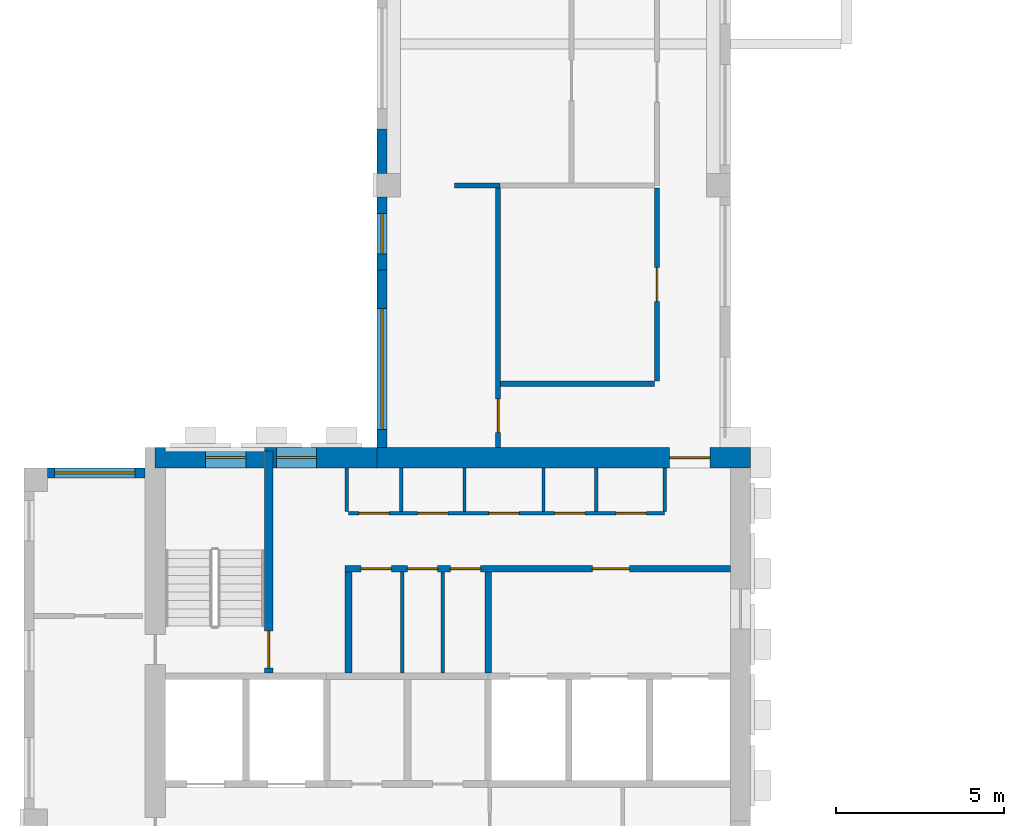
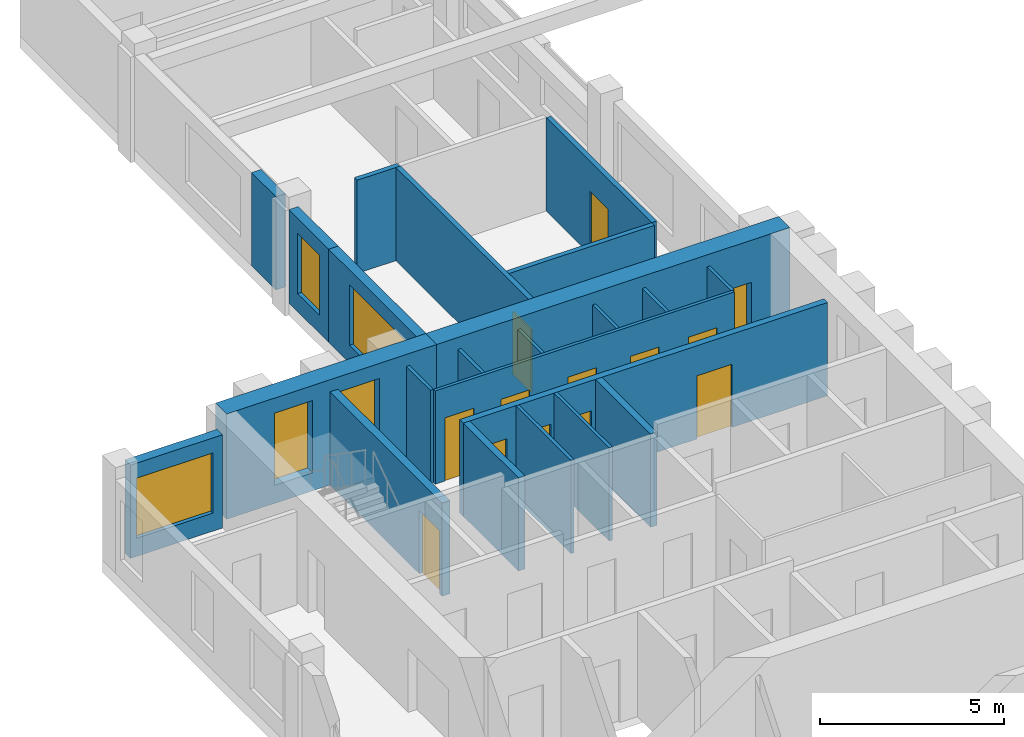
# One storey, part 3 of 9: 23 walls, 13 doors, 5 windows, 18 openings.
"""IFC4 building model written with IfcOpenShell, lengths in metres."""

import ifcopenshell
import ifcopenshell.guid

model = None  # the IFC model being written
_history = None  # IfcOwnerHistory: only IFC2X3 demands one
_inside = {}  # id of a spatial element -> (the spatial element, [elements in it])
_under = {}  # id of a project, library or spatial element -> (it, [spatial elements below it])
_declared = {}  # id of a project -> (the project, [libraries it declares])
_typed = {}  # id of a type object -> (the type object, [elements of that type])
_made_of = {}  # id of a material, layer set ... -> (it, [elements and type objects made of it])


def new_model(schema):
    """Start an empty IFC model of exactly this schema.

    Asked for "IFC4X3", IfcOpenShell would pick the latest addendum, in which some entities
    have other attributes; the version numbers below select the first issue.
    IFC2X3 requires an IfcOwnerHistory on every rooted entity: one is made here for all.
    """
    global model, _history
    if schema == "IFC4X3":
        model = ifcopenshell.file(schema_version=(4, 3, 0, 0))
    else:
        model = ifcopenshell.file(schema=schema)
    _inside.clear()
    _under.clear()
    _declared.clear()
    _typed.clear()
    _made_of.clear()
    _history = None
    if model.schema == "IFC2X3":
        org = make("IfcOrganization", Name="unknown")
        user = make(
            "IfcPersonAndOrganization",
            ThePerson=make("IfcPerson", FamilyName="unknown"),
            TheOrganization=org,
        )
        app = make(
            "IfcApplication",
            ApplicationDeveloper=org,
            Version="unknown",
            ApplicationFullName="unknown",
            ApplicationIdentifier="unknown",
        )
        _history = make(
            "IfcOwnerHistory",
            OwningUser=user,
            OwningApplication=app,
            ChangeAction="ADDED",
            CreationDate=0,
        )
    return model


def make(cls, **values):
    """One entity of the class cls with the attributes given. An attribute that is None is left unset."""
    return model.create_entity(
        cls, **{name: value for name, value in values.items() if value is not None}
    )


def rooted(cls, **values):
    """An entity with a GlobalId (a new one), such as an element, a storey or a relation."""
    return make(cls, GlobalId=ifcopenshell.guid.new(), OwnerHistory=_history, **values)


def si_unit(unit_type, name, prefix=None):
    """IfcSIUnit, for example si_unit("LENGTHUNIT", "METRE", prefix="MILLI")."""
    return make("IfcSIUnit", UnitType=unit_type, Prefix=prefix, Name=name)


def assignment(units):
    """IfcUnitAssignment: the units of a project."""
    return None if units is None else make("IfcUnitAssignment", Units=units)


def point(xyz):
    """IfcCartesianPoint."""
    return None if xyz is None else make("IfcCartesianPoint", Coordinates=xyz)


def direction(xyz):
    """IfcDirection."""
    return None if xyz is None else make("IfcDirection", DirectionRatios=xyz)


def frame(location, z_axis=None, x_axis=None):
    """IfcAxis2Placement3D, a coordinate frame: its origin and axes. An axis left out is left unset."""
    return make(
        "IfcAxis2Placement3D",
        Location=point(location),
        Axis=direction(z_axis),
        RefDirection=direction(x_axis),
    )


def frame_2d(location, x_axis=None):
    """IfcAxis2Placement2D, a coordinate frame in the plane: its origin and x axis."""
    return make(
        "IfcAxis2Placement2D", Location=point(location), RefDirection=direction(x_axis)
    )


def origin():
    """The frame at (0, 0, 0) with its axes left unset."""
    return frame((0.0, 0.0, 0.0))


def place(relative_to, where):
    """IfcLocalPlacement: puts the frame where relative to a parent placement (None: the world)."""
    return make(
        "IfcLocalPlacement", PlacementRelTo=relative_to, RelativePlacement=where
    )


def context(
    kind, dimensions, precision=None, world=None, true_north=None, identifier=None
):
    """IfcGeometricRepresentationContext, for example the 3D "Model" context."""
    return make(
        "IfcGeometricRepresentationContext",
        ContextIdentifier=identifier,
        ContextType=kind,
        CoordinateSpaceDimension=dimensions,
        Precision=precision,
        WorldCoordinateSystem=world,
        TrueNorth=true_north,
    )


def subcontext(parent, identifier, kind, view, scale=None):
    """IfcGeometricRepresentationSubContext, for example "Body" below "Model"."""
    return make(
        "IfcGeometricRepresentationSubContext",
        ContextIdentifier=identifier,
        ContextType=kind,
        ParentContext=parent,
        TargetScale=scale,
        TargetView=view,
    )


def project(units=None, contexts=None):
    """IfcProject with its units and contexts."""
    return rooted(
        "IfcProject",
        Name="project",
        RepresentationContexts=contexts,
        UnitsInContext=assignment(units),
    )


def spatial(cls, under=None, at=None, **own):
    """A site, building, storey or space (cls), placed at a placement, below another one or the project."""
    s = rooted(cls, ObjectPlacement=at, **own)
    if under is not None:
        _under.setdefault(under.id(), (under, []))[1].append(s)
    return s


def profile(cls, at=None, kind="AREA", **sizes):
    """A parametric profile (cls). Its sizes go by their IFC names, for example OverallWidth=200.0."""
    return make(cls, ProfileType=kind, Position=at, **sizes)


def rectangle(**sizes):
    """IfcRectangleProfileDef."""
    return profile("IfcRectangleProfileDef", **sizes)


def extrude(swept, where, along, depth):
    """IfcExtrudedAreaSolid: the profile swept, set in the frame where, extruded along a direction by depth."""
    return make(
        "IfcExtrudedAreaSolid",
        SweptArea=swept,
        Position=where,
        ExtrudedDirection=direction(along),
        Depth=depth,
    )


def shape(context_of_items, identifier, shape_type, items):
    """IfcShapeRepresentation: the items that make up one representation, for example the "Body"."""
    return make(
        "IfcShapeRepresentation",
        ContextOfItems=context_of_items,
        RepresentationIdentifier=identifier,
        RepresentationType=shape_type,
        Items=items,
    )


def source(mapping_origin, context_of_items, identifier, shape_type, items):
    """IfcRepresentationMap: a shape defined once, which mapped items show again and again."""
    return make(
        "IfcRepresentationMap",
        MappingOrigin=mapping_origin,
        MappedRepresentation=shape(context_of_items, identifier, shape_type, items),
    )


def transform(
    local_origin,
    x_axis=None,
    y_axis=None,
    z_axis=None,
    scale=None,
    scale2=None,
    scale3=None,
    uniform=True,
):
    """IfcCartesianTransformationOperator3D, or its non-uniform kind. x_axis, y_axis, z_axis: its Axis1, 2, 3."""
    if uniform:
        return make(
            "IfcCartesianTransformationOperator3D",
            Axis1=direction(x_axis),
            Axis2=direction(y_axis),
            LocalOrigin=point(local_origin),
            Scale=scale,
            Axis3=direction(z_axis),
        )
    return make(
        "IfcCartesianTransformationOperator3DnonUniform",
        Axis1=direction(x_axis),
        Axis2=direction(y_axis),
        LocalOrigin=point(local_origin),
        Scale=scale,
        Axis3=direction(z_axis),
        Scale2=scale2,
        Scale3=scale3,
    )


def mapped(mapping_source, mapping_target):
    """IfcMappedItem: shows the shape of a source again, moved by a transform."""
    return make(
        "IfcMappedItem", MappingSource=mapping_source, MappingTarget=mapping_target
    )


def material(Name=None, Category=None):
    """IfcMaterial."""
    return make("IfcMaterial", Name=Name, Category=Category)


def layer(
    of_material, thickness, ventilated=None, Name=None, Category=None, Priority=None
):
    """IfcMaterialLayer: one layer of a wall or slab, of a material (None: an air gap)."""
    return make(
        "IfcMaterialLayer",
        Material=of_material,
        LayerThickness=thickness,
        IsVentilated=ventilated,
        Name=Name,
        Category=Category,
        Priority=Priority,
    )


def layer_set(layers, Name=None):
    """IfcMaterialLayerSet."""
    return make("IfcMaterialLayerSet", MaterialLayers=layers, LayerSetName=Name)


def made_of(thing, what):
    """Note that an element or type object is made of a material, layer set ...; save() writes the relation."""
    if what is not None:
        _made_of.setdefault(what.id(), (what, []))[1].append(thing)
    return thing


def type_object(cls, material=None, **own):
    """A type object (cls), such as IfcWallType, which elements share."""
    return made_of(rooted(cls, **own), material)


def element(
    cls,
    number,
    at=None,
    inside=None,
    cuts=None,
    type_object=None,
    material=None,
    context=None,
    identifier="Body",
    shape_type=None,
    held_by="IfcProductDefinitionShape",
    body=None,
    shapes=None,
    **own,
):
    """One element of the class cls, such as IfcWall. Its Tag is "e" and its number.

    at: its placement. inside: the storey or other place that contains it. cuts: it is an
    opening in that element (IfcRelVoidsElement). A single representation is given by context,
    identifier, shape_type and body (its items); several are given by shapes. held_by: the class
    of the entity that holds the representations. save() writes the other relations.
    """
    e = rooted(cls, Tag="e%d" % number, ObjectPlacement=at, **own)
    if body is not None:
        shapes = [shape(context, identifier, shape_type, body)]
    if shapes is not None:
        e.Representation = make(held_by, Representations=shapes)
    if inside is not None:
        _inside.setdefault(inside.id(), (inside, []))[1].append(e)
    if cuts is not None:
        rooted(
            "IfcRelVoidsElement", RelatingBuildingElement=cuts, RelatedOpeningElement=e
        )
    if type_object is not None:
        _typed.setdefault(type_object.id(), (type_object, []))[1].append(e)
    return made_of(e, material)


def fill(opening, filler):
    """IfcRelFillsElement: the door or window that sits in an opening."""
    return rooted(
        "IfcRelFillsElement",
        RelatingOpeningElement=opening,
        RelatedBuildingElement=filler,
    )


def aggregate(whole, parts):
    """IfcRelAggregates: a whole, such as a stair, and the parts it consists of."""
    return rooted("IfcRelAggregates", RelatingObject=whole, RelatedObjects=parts)


def save(model, path):
    """Write the relations noted so far, then the file.

    IfcRelAggregates (storeys below a building ...), IfcRelContainedInSpatialStructure (elements
    in a storey), IfcRelDefinesByType, IfcRelAssociatesMaterial and IfcRelDeclares: one each for
    every whole, place, type object, material and project.
    """
    for whole, parts in _under.values():
        aggregate(whole, parts)
    for where, things in _inside.values():
        rooted(
            "IfcRelContainedInSpatialStructure",
            RelatedElements=things,
            RelatingStructure=where,
        )
    for kind, things in _typed.values():
        rooted("IfcRelDefinesByType", RelatedObjects=things, RelatingType=kind)
    for what, things in _made_of.values():
        rooted("IfcRelAssociatesMaterial", RelatedObjects=things, RelatingMaterial=what)
    for by, libraries in _declared.values():
        rooted("IfcRelDeclares", RelatingContext=by, RelatedDefinitions=libraries)
    model.write(path)


model = new_model("IFC4")

# Units and contexts
model_context = context("Model", 3, precision=1e-05, world=origin(), true_north=direction((0.0, 1.0)))
body_context = subcontext(model_context, "Body", "Model", "MODEL_VIEW")
ifc_project = project(units=[si_unit("LENGTHUNIT", "METRE"), si_unit("AREAUNIT", "SQUARE_METRE"), si_unit("VOLUMEUNIT", "CUBIC_METRE"), si_unit("PLANEANGLEUNIT", "RADIAN"), si_unit("MASSUNIT", "GRAM", prefix="KILO")], contexts=[model_context])

# Site, building, storey
site_placement = place(None, origin())
site = spatial("IfcSite", under=ifc_project, at=site_placement, CompositionType="ELEMENT")
building_placement = place(site_placement, origin())
building = spatial("IfcBuilding", under=site, at=building_placement, Name="Aurelian Terraces", CompositionType="ELEMENT")
storey_placement = place(building_placement, frame((0.0, 0.0, 295.0)))
storey = spatial("IfcBuildingStorey", under=building, at=storey_placement, Name="L67", CompositionType="ELEMENT", Elevation=295.0)

# Wall, opening, door
ifc_material_1 = material(Name="Concrete fc' 55 MPa", Category="concrete")
ifc_layer_1 = layer(ifc_material_1, 0.6)
ifc_layer_set_1 = layer_set([ifc_layer_1], Name="CORE WALL 600 FC55")
wall_type_1 = type_object("IfcWallType", Name="CORE WALL 600 FC55", PredefinedType="SHEAR", material=ifc_layer_set_1)
shared_shape_1 = source(origin(), body_context, "Body", "SweptSolid", [
    extrude(rectangle(XDim=11.1, YDim=0.6, at=frame_2d((5.55, 0.0))), origin(), (0.0, 0.0, 1.0), 3.5),
])
wall_1_placement = place(storey_placement, frame((10.5, 21.3, 0.0), z_axis=(0.0, 0.0, 1.0), x_axis=(1.0, 0.0, 0.0)))
wall_1 = element("IfcWall", 1, at=wall_1_placement, inside=storey, type_object=wall_type_1, Name="Core wall N L67", PredefinedType="SHEAR", context=body_context, shape_type="MappedRepresentation", body=[
    mapped(shared_shape_1, transform((0.0, 0.0, 0.0), scale=1.0)),
])
shared_shape_2 = source(origin(), body_context, "Body", "SweptSolid", [
    extrude(rectangle(XDim=1.2, YDim=2.1, at=frame_2d((0.6, 1.05))), frame((0.0, 0.31, 0.0), z_axis=(0.0, -1.0, 0.0), x_axis=(1.0, 0.0, 0.0)), (0.0, 0.0, 1.0), 0.62),
])
opening_1_placement = place(wall_1_placement, frame((8.7, 0.0, 0.0)))
opening_1 = element("IfcOpeningElement", 2, at=opening_1_placement, cuts=wall_1, Name="Opening 67032", PredefinedType="OPENING", context=body_context, shape_type="MappedRepresentation", body=[
    mapped(shared_shape_2, transform((0.0, 0.0, 0.0), scale=1.0)),
])
ifc_material_2 = material(Name="Steel door leaf", Category="steel")
door_type_1 = type_object("IfcDoorType", Name="Core fire door 1200x2100 right", OperationType="SINGLE_SWING_RIGHT", PredefinedType="DOOR", material=ifc_material_2)
shared_shape_3 = source(origin(), body_context, "Body", "SweptSolid", [
    extrude(rectangle(XDim=1.2, YDim=2.1, at=frame_2d((0.6, 1.05))), frame((0.0, 0.025, 0.0), z_axis=(0.0, -1.0, 0.0), x_axis=(1.0, 0.0, 0.0)), (0.0, 0.0, 1.0), 0.05),
])
door_1_placement = place(opening_1_placement, origin())
door_1 = element("IfcDoor", 3, at=door_1_placement, inside=storey, type_object=door_type_1, Name="Core door 67032", OperationType="SINGLE_SWING_RIGHT", OverallHeight=2.1, OverallWidth=1.2, PredefinedType="DOOR", context=body_context, shape_type="MappedRepresentation", body=[
    mapped(shared_shape_3, transform((0.0, 0.0, 0.0), scale=1.0)),
])
fill(opening_1, door_1)

# Wall, openings, windows
shared_shape_4 = source(origin(), body_context, "Body", "SweptSolid", [
    extrude(rectangle(XDim=6.6, YDim=0.6, at=frame_2d((3.3, 0.0))), origin(), (0.0, 0.0, 1.0), 3.5),
])
wall_2_placement = place(storey_placement, frame((3.9, 21.3, 0.0), z_axis=(0.0, 0.0, 1.0), x_axis=(1.0, 0.0, 0.0)))
wall_2 = element("IfcWall", 4, at=wall_2_placement, inside=storey, type_object=wall_type_1, Name="Core wall N L67 exposed", PredefinedType="SHEAR", context=body_context, shape_type="MappedRepresentation", body=[
    mapped(shared_shape_4, transform((0.0, 0.0, 0.0), scale=1.0)),
])
shared_shape_5 = source(origin(), body_context, "Body", "SweptSolid", [
    extrude(rectangle(XDim=1.2, YDim=2.4, at=frame_2d((0.6, 1.2))), frame((0.0, 0.31, 0.0), z_axis=(0.0, -1.0, 0.0), x_axis=(1.0, 0.0, 0.0)), (0.0, 0.0, 1.0), 0.62),
])
opening_2_placement = place(wall_2_placement, frame((1.5, 0.0, 0.6)))
opening_2 = element("IfcOpeningElement", 5, at=opening_2_placement, cuts=wall_2, Name="Opening W-CL", PredefinedType="OPENING", context=body_context, shape_type="MappedRepresentation", body=[
    mapped(shared_shape_5, transform((0.0, 0.0, 0.0), scale=1.0)),
])
opening_3_placement = place(wall_2_placement, frame((3.6, 0.0, 0.6)))
opening_3 = element("IfcOpeningElement", 6, at=opening_3_placement, cuts=wall_2, Name="Opening W-CL", PredefinedType="OPENING", context=body_context, shape_type="MappedRepresentation", body=[
    mapped(shared_shape_5, transform((0.0, 0.0, 0.0), scale=1.0)),
])
ifc_material_3 = material(Name="Fire-resisting glazing", Category="glass")
window_type_1 = type_object("IfcWindowType", Name="Core lobby window 1200x2400", PartitioningType="SINGLE_PANEL", PredefinedType="WINDOW", material=ifc_material_3)
shared_shape_6 = source(origin(), body_context, "Body", "SweptSolid", [
    extrude(rectangle(XDim=1.2, YDim=2.4, at=frame_2d((0.6, 1.2))), frame((0.0, 0.03, 0.0), z_axis=(0.0, -1.0, 0.0), x_axis=(1.0, 0.0, 0.0)), (0.0, 0.0, 1.0), 0.06),
])
window_1_placement = place(opening_2_placement, origin())
window_1 = element("IfcWindow", 7, at=window_1_placement, inside=storey, type_object=window_type_1, Name="Lobby window L67 N11", OverallHeight=2.4, OverallWidth=1.2, PartitioningType="SINGLE_PANEL", PredefinedType="WINDOW", context=body_context, shape_type="MappedRepresentation", body=[
    mapped(shared_shape_6, transform((0.0, 0.0, 0.0), scale=1.0)),
])
fill(opening_2, window_1)
window_2_placement = place(opening_3_placement, origin())
window_2 = element("IfcWindow", 8, at=window_2_placement, inside=storey, type_object=window_type_1, Name="Lobby window L67 N12", OverallHeight=2.4, OverallWidth=1.2, PartitioningType="SINGLE_PANEL", PredefinedType="WINDOW", context=body_context, shape_type="MappedRepresentation", body=[
    mapped(shared_shape_6, transform((0.0, 0.0, 0.0), scale=1.0)),
])
fill(opening_3, window_2)

# Wall, opening, window
ifc_material_4 = material(Name="Terracotta rainscreen cladding", Category="masonry")
ifc_layer_2 = layer(ifc_material_4, 0.3)
ifc_layer_set_2 = layer_set([ifc_layer_2], Name="EW-300")
wall_type_2 = type_object("IfcWallType", Name="EW-300", PredefinedType="STANDARD", material=ifc_layer_set_2)
shared_shape_7 = source(origin(), body_context, "Body", "SweptSolid", [
    extrude(rectangle(XDim=2.9, YDim=0.3, at=frame_2d((1.45, 0.0))), origin(), (0.0, 0.0, 1.0), 3.1),
])
wall_3_placement = place(storey_placement, frame((3.6, 20.85, 0.0), z_axis=(0.0, 0.0, 1.0), x_axis=(-1.0, 0.0, 0.0)))
wall_3 = element("IfcWall", 9, at=wall_3_placement, inside=storey, type_object=wall_type_2, Name="External wall L67 F09.17", PredefinedType="STANDARD", context=body_context, shape_type="MappedRepresentation", body=[
    mapped(shared_shape_7, transform((0.0, 0.0, 0.0), scale=1.0)),
])
shared_shape_8 = source(origin(), body_context, "Body", "SweptSolid", [
    extrude(rectangle(XDim=2.4, YDim=2.0, at=frame_2d((1.2, 1.0))), frame((0.0, 0.16, 0.0), z_axis=(0.0, -1.0, 0.0), x_axis=(1.0, 0.0, 0.0)), (0.0, 0.0, 1.0), 0.32),
])
opening_4_placement = place(wall_3_placement, frame((0.3, 0.0, 0.6)))
opening_4 = element("IfcOpeningElement", 10, at=opening_4_placement, cuts=wall_3, Name="Opening W2420", PredefinedType="OPENING", context=body_context, shape_type="MappedRepresentation", body=[
    mapped(shared_shape_8, transform((0.0, 0.0, 0.0), scale=1.0)),
])
ifc_material_5 = material(Name="Clear glazing", Category="glass")
window_type_2 = type_object("IfcWindowType", Name="W-2400x2000", PartitioningType="SINGLE_PANEL", PredefinedType="WINDOW", material=ifc_material_5)
shared_shape_9 = source(origin(), body_context, "Body", "SweptSolid", [
    extrude(rectangle(XDim=2.4, YDim=2.0, at=frame_2d((1.2, 1.0))), frame((0.0, 0.03, 0.0), z_axis=(0.0, -1.0, 0.0), x_axis=(1.0, 0.0, 0.0)), (0.0, 0.0, 1.0), 0.06),
])
window_3_placement = place(opening_4_placement, origin())
window_3 = element("IfcWindow", 11, at=window_3_placement, inside=storey, type_object=window_type_2, Name="Window L67 L67-F09-17-0", OverallHeight=2.0, OverallWidth=2.4, PartitioningType="SINGLE_PANEL", PredefinedType="WINDOW", context=body_context, shape_type="MappedRepresentation", body=[
    mapped(shared_shape_9, transform((0.0, 0.0, 0.0), scale=1.0)),
])
fill(opening_4, window_3)

# Wall
shared_shape_10 = source(origin(), body_context, "Body", "SweptSolid", [
    extrude(rectangle(XDim=1.33, YDim=0.3, at=frame_2d((0.665, 0.0))), origin(), (0.0, 0.0, 1.0), 3.1),
])
wall_4_placement = place(storey_placement, frame((10.65, 31.08, 0.0), z_axis=(0.0, 0.0, 1.0), x_axis=(0.0, -1.0, 0.0)))
element("IfcWall", 12, at=wall_4_placement, inside=storey, type_object=wall_type_2, Name="External wall L67 F04.11", PredefinedType="STANDARD", context=body_context, shape_type="MappedRepresentation", body=[
    mapped(shared_shape_10, transform((0.0, 0.0, 0.0), scale=1.0)),
])

# Wall, opening, window
shared_shape_11 = source(origin(), body_context, "Body", "SweptSolid", [
    extrude(rectangle(XDim=2.17, YDim=0.3, at=frame_2d((1.085, 0.0))), origin(), (0.0, 0.0, 1.0), 3.1),
])
wall_5_placement = place(storey_placement, frame((10.65, 29.05, 0.0), z_axis=(0.0, 0.0, 1.0), x_axis=(0.0, -1.0, 0.0)))
wall_5 = element("IfcWall", 13, at=wall_5_placement, inside=storey, type_object=wall_type_2, Name="External wall L67 F04.11", PredefinedType="STANDARD", context=body_context, shape_type="MappedRepresentation", body=[
    mapped(shared_shape_11, transform((0.0, 0.0, 0.0), scale=1.0)),
])
shared_shape_12 = source(origin(), body_context, "Body", "SweptSolid", [
    extrude(rectangle(XDim=1.2, YDim=2.0, at=frame_2d((0.6, 1.0))), frame((0.0, 0.16, 0.0), z_axis=(0.0, -1.0, 0.0), x_axis=(1.0, 0.0, 0.0)), (0.0, 0.0, 1.0), 0.32),
])
opening_5_placement = place(wall_5_placement, frame((0.485, 0.0, 0.6)))
opening_5 = element("IfcOpeningElement", 14, at=opening_5_placement, cuts=wall_5, Name="Opening W1220", PredefinedType="OPENING", context=body_context, shape_type="MappedRepresentation", body=[
    mapped(shared_shape_12, transform((0.0, 0.0, 0.0), scale=1.0)),
])
window_type_3 = type_object("IfcWindowType", Name="W-1200x2000", PartitioningType="SINGLE_PANEL", PredefinedType="WINDOW", material=ifc_material_5)
shared_shape_13 = source(origin(), body_context, "Body", "SweptSolid", [
    extrude(rectangle(XDim=1.2, YDim=2.0, at=frame_2d((0.6, 1.0))), frame((0.0, 0.03, 0.0), z_axis=(0.0, -1.0, 0.0), x_axis=(1.0, 0.0, 0.0)), (0.0, 0.0, 1.0), 0.06),
])
window_4_placement = place(opening_5_placement, origin())
window_4 = element("IfcWindow", 15, at=window_4_placement, inside=storey, type_object=window_type_3, Name="Window L67 L67-F04-11-P1", OverallHeight=2.0, OverallWidth=1.2, PartitioningType="SINGLE_PANEL", PredefinedType="WINDOW", context=body_context, shape_type="MappedRepresentation", body=[
    mapped(shared_shape_13, transform((0.0, 0.0, 0.0), scale=1.0)),
])
fill(opening_5, window_4)

shared_shape_14 = source(origin(), body_context, "Body", "SweptSolid", [
    extrude(rectangle(XDim=5.28, YDim=0.3, at=frame_2d((2.64, 0.0))), origin(), (0.0, 0.0, 1.0), 3.1),
])
wall_6_placement = place(storey_placement, frame((10.65, 26.88, 0.0), z_axis=(0.0, 0.0, 1.0), x_axis=(0.0, -1.0, 0.0)))
wall_6 = element("IfcWall", 16, at=wall_6_placement, inside=storey, type_object=wall_type_2, Name="External wall L67 F04.12", PredefinedType="STANDARD", context=body_context, shape_type="MappedRepresentation", body=[
    mapped(shared_shape_14, transform((0.0, 0.0, 0.0), scale=1.0)),
])
shared_shape_15 = source(origin(), body_context, "Body", "SweptSolid", [
    extrude(rectangle(XDim=3.6, YDim=2.0, at=frame_2d((1.8, 1.0))), frame((0.0, 0.16, 0.0), z_axis=(0.0, -1.0, 0.0), x_axis=(1.0, 0.0, 0.0)), (0.0, 0.0, 1.0), 0.32),
])
opening_6_placement = place(wall_6_placement, frame((1.14, 0.0, 0.6)))
opening_6 = element("IfcOpeningElement", 17, at=opening_6_placement, cuts=wall_6, Name="Opening W3620", PredefinedType="OPENING", context=body_context, shape_type="MappedRepresentation", body=[
    mapped(shared_shape_15, transform((0.0, 0.0, 0.0), scale=1.0)),
])
window_type_4 = type_object("IfcWindowType", Name="W-3600x2000", PartitioningType="SINGLE_PANEL", PredefinedType="WINDOW", material=ifc_material_5)
shared_shape_16 = source(origin(), body_context, "Body", "SweptSolid", [
    extrude(rectangle(XDim=3.6, YDim=2.0, at=frame_2d((1.8, 1.0))), frame((0.0, 0.03, 0.0), z_axis=(0.0, -1.0, 0.0), x_axis=(1.0, 0.0, 0.0)), (0.0, 0.0, 1.0), 0.06),
])
window_5_placement = place(opening_6_placement, origin())
window_5 = element("IfcWindow", 18, at=window_5_placement, inside=storey, type_object=window_type_4, Name="Window L67 L67-F04-12-0", OverallHeight=2.0, OverallWidth=3.6, PartitioningType="SINGLE_PANEL", PredefinedType="WINDOW", context=body_context, shape_type="MappedRepresentation", body=[
    mapped(shared_shape_16, transform((0.0, 0.0, 0.0), scale=1.0)),
])
fill(opening_6, window_5)

# Walls
ifc_material_6 = material(Name="Gypsum board on steel studs", Category="steel")
ifc_layer_3 = layer(ifc_material_6, 0.2)
ifc_layer_set_3 = layer_set([ifc_layer_3], Name="Core partition 200")
wall_type_3 = type_object("IfcWallType", Name="Core partition 200", PredefinedType="PARTITIONING", material=ifc_layer_set_3)
shared_shape_17 = source(origin(), body_context, "Body", "SweptSolid", [
    extrude(rectangle(XDim=3.0, YDim=0.2, at=frame_2d((1.5, 0.0))), origin(), (0.0, 0.0, 1.0), 3.1),
])
for number, where, z_axis, x_axis, name in (
    (19, (9.65, 14.9, 0.0), (0.0, 0.0, 1.0), (0.0, 1.0, 0.0), "L67 core wall CP-VEST"),
    (20, (13.8, 14.9, 0.0), (0.0, 0.0, 1.0), (0.0, 1.0, 0.0), "L67 core wall CP-FFL"),
):
    element("IfcWall", number, at=place(storey_placement, frame(where, z_axis=z_axis, x_axis=x_axis)), inside=storey, type_object=wall_type_3, Name=name, PredefinedType="PARTITIONING", context=body_context, shape_type="MappedRepresentation", body=[
        mapped(shared_shape_17, transform((0.0, 0.0, 0.0), scale=1.0)),
    ])

# Wall, opening, door
ifc_material_7 = material(Name="Concrete fc' 40 MPa", Category="concrete")
ifc_layer_4 = layer(ifc_material_7, 0.25)
ifc_layer_set_4 = layer_set([ifc_layer_4], Name="Stair enclosure wall 250")
wall_type_4 = type_object("IfcWallType", Name="Stair enclosure wall 250", PredefinedType="SOLIDWALL", material=ifc_layer_set_4)
shared_shape_18 = source(origin(), body_context, "Body", "SweptSolid", [
    extrude(rectangle(XDim=6.6, YDim=0.25, at=frame_2d((3.3, 0.0))), origin(), (0.0, 0.0, 1.0), 3.1),
])
wall_7_placement = place(storey_placement, frame((7.275, 14.9, 0.0), z_axis=(0.0, 0.0, 1.0), x_axis=(0.0, 1.0, 0.0)))
wall_7 = element("IfcWall", 21, at=wall_7_placement, inside=storey, type_object=wall_type_4, Name="L67 core wall ST-S1-E", PredefinedType="SOLIDWALL", context=body_context, shape_type="MappedRepresentation", body=[
    mapped(shared_shape_18, transform((0.0, 0.0, 0.0), scale=1.0)),
])
shared_shape_19 = source(origin(), body_context, "Body", "SweptSolid", [
    extrude(rectangle(XDim=1.1, YDim=2.1, at=frame_2d((0.55, 1.05))), frame((0.0, 0.135, 0.0), z_axis=(0.0, -1.0, 0.0), x_axis=(1.0, 0.0, 0.0)), (0.0, 0.0, 1.0), 0.27),
])
opening_7_placement = place(wall_7_placement, frame((0.15, 0.0, 0.0)))
opening_7 = element("IfcOpeningElement", 22, at=opening_7_placement, cuts=wall_7, Name="Opening 67013", PredefinedType="OPENING", context=body_context, shape_type="MappedRepresentation", body=[
    mapped(shared_shape_19, transform((0.0, 0.0, 0.0), scale=1.0)),
])
door_type_2 = type_object("IfcDoorType", Name="Core fire door 1100x2100 right", OperationType="SINGLE_SWING_RIGHT", PredefinedType="DOOR", material=ifc_material_2)
shared_shape_20 = source(origin(), body_context, "Body", "SweptSolid", [
    extrude(rectangle(XDim=1.1, YDim=2.1, at=frame_2d((0.55, 1.05))), frame((0.0, 0.025, 0.0), z_axis=(0.0, -1.0, 0.0), x_axis=(1.0, 0.0, 0.0)), (0.0, 0.0, 1.0), 0.05),
])
door_2_placement = place(opening_7_placement, origin())
door_2 = element("IfcDoor", 23, at=door_2_placement, inside=storey, type_object=door_type_2, Name="Stair door 67013", OperationType="SINGLE_SWING_RIGHT", OverallHeight=2.1, OverallWidth=1.1, PredefinedType="DOOR", context=body_context, shape_type="MappedRepresentation", body=[
    mapped(shared_shape_20, transform((0.0, 0.0, 0.0), scale=1.0)),
])
fill(opening_7, door_2)

# Wall, openings, doors
shared_shape_21 = source(origin(), body_context, "Body", "SweptSolid", [
    extrude(rectangle(XDim=11.45, YDim=0.2, at=frame_2d((5.725, 0.0))), origin(), (0.0, 0.0, 1.0), 3.1),
])
wall_8_placement = place(storey_placement, frame((9.55, 18.0, 0.0), z_axis=(0.0, 0.0, 1.0), x_axis=(1.0, 0.0, 0.0)))
wall_8 = element("IfcWall", 24, at=wall_8_placement, inside=storey, type_object=wall_type_3, Name="L67 core wall CP-NORTH", PredefinedType="PARTITIONING", context=body_context, shape_type="MappedRepresentation", body=[
    mapped(shared_shape_21, transform((0.0, 0.0, 0.0), scale=1.0)),
])
shared_shape_22 = source(origin(), body_context, "Body", "SweptSolid", [
    extrude(rectangle(XDim=0.9, YDim=2.1, at=frame_2d((0.45, 1.05))), frame((0.0, 0.11, 0.0), z_axis=(0.0, -1.0, 0.0), x_axis=(1.0, 0.0, 0.0)), (0.0, 0.0, 1.0), 0.22),
])
opening_8_placement = place(wall_8_placement, frame((0.475, 0.0, 0.0)))
opening_8 = element("IfcOpeningElement", 25, at=opening_8_placement, cuts=wall_8, Name="Opening 67014", PredefinedType="OPENING", context=body_context, shape_type="MappedRepresentation", body=[
    mapped(shared_shape_22, transform((0.0, 0.0, 0.0), scale=1.0)),
])
opening_9_placement = place(wall_8_placement, frame((1.85, 0.0, 0.0)))
opening_9 = element("IfcOpeningElement", 26, at=opening_9_placement, cuts=wall_8, Name="Opening 67015", PredefinedType="OPENING", context=body_context, shape_type="MappedRepresentation", body=[
    mapped(shared_shape_22, transform((0.0, 0.0, 0.0), scale=1.0)),
])
opening_10_placement = place(wall_8_placement, frame((3.125, 0.0, 0.0)))
opening_10 = element("IfcOpeningElement", 27, at=opening_10_placement, cuts=wall_8, Name="Opening 67016", PredefinedType="OPENING", context=body_context, shape_type="MappedRepresentation", body=[
    mapped(shared_shape_22, transform((0.0, 0.0, 0.0), scale=1.0)),
])
shared_shape_23 = source(origin(), body_context, "Body", "SweptSolid", [
    extrude(rectangle(XDim=1.1, YDim=2.1, at=frame_2d((0.55, 1.05))), frame((0.0, 0.11, 0.0), z_axis=(0.0, -1.0, 0.0), x_axis=(1.0, 0.0, 0.0)), (0.0, 0.0, 1.0), 0.22),
])
opening_11_placement = place(wall_8_placement, frame((7.35, 0.0, 0.0)))
opening_11 = element("IfcOpeningElement", 28, at=opening_11_placement, cuts=wall_8, Name="Opening 67017", PredefinedType="OPENING", context=body_context, shape_type="MappedRepresentation", body=[
    mapped(shared_shape_23, transform((0.0, 0.0, 0.0), scale=1.0)),
])
door_type_3 = type_object("IfcDoorType", Name="Core service door 900x2100", OperationType="SINGLE_SWING_LEFT", PredefinedType="DOOR", material=ifc_material_2)
shared_shape_24 = source(origin(), body_context, "Body", "SweptSolid", [
    extrude(rectangle(XDim=0.9, YDim=2.1, at=frame_2d((0.45, 1.05))), frame((0.0, 0.025, 0.0), z_axis=(0.0, -1.0, 0.0), x_axis=(1.0, 0.0, 0.0)), (0.0, 0.0, 1.0), 0.05),
])
door_3_placement = place(opening_8_placement, origin())
door_3 = element("IfcDoor", 29, at=door_3_placement, inside=storey, type_object=door_type_3, Name="Room door 67014", OperationType="SINGLE_SWING_LEFT", OverallHeight=2.1, OverallWidth=0.9, PredefinedType="DOOR", context=body_context, shape_type="MappedRepresentation", body=[
    mapped(shared_shape_24, transform((0.0, 0.0, 0.0), scale=1.0)),
])
fill(opening_8, door_3)
door_type_4 = type_object("IfcDoorType", Name="Core riser door 900x2100 right", OperationType="SINGLE_SWING_RIGHT", PredefinedType="DOOR", material=ifc_material_2)
door_4_placement = place(opening_9_placement, origin())
door_4 = element("IfcDoor", 30, at=door_4_placement, inside=storey, type_object=door_type_4, Name="Room door 67015", OperationType="SINGLE_SWING_RIGHT", OverallHeight=2.1, OverallWidth=0.9, PredefinedType="DOOR", context=body_context, shape_type="MappedRepresentation", body=[
    mapped(shared_shape_24, transform((0.0, 0.0, 0.0), scale=1.0)),
])
fill(opening_9, door_4)
door_5_placement = place(opening_10_placement, origin())
door_5 = element("IfcDoor", 31, at=door_5_placement, inside=storey, type_object=door_type_3, Name="Room door 67016", OperationType="SINGLE_SWING_LEFT", OverallHeight=2.1, OverallWidth=0.9, PredefinedType="DOOR", context=body_context, shape_type="MappedRepresentation", body=[
    mapped(shared_shape_24, transform((0.0, 0.0, 0.0), scale=1.0)),
])
fill(opening_10, door_5)
door_6_placement = place(opening_11_placement, origin())
door_6 = element("IfcDoor", 32, at=door_6_placement, inside=storey, type_object=door_type_2, Name="Ff lobby door 67017", OperationType="SINGLE_SWING_RIGHT", OverallHeight=2.1, OverallWidth=1.1, PredefinedType="DOOR", context=body_context, shape_type="MappedRepresentation", body=[
    mapped(shared_shape_20, transform((0.0, 0.0, 0.0), scale=1.0)),
])
fill(opening_11, door_6)

# Walls
ifc_layer_5 = layer(ifc_material_6, 0.1)
ifc_layer_set_5 = layer_set([ifc_layer_5], Name="Core partition 100")
wall_type_5 = type_object("IfcWallType", Name="Core partition 100", PredefinedType="PARTITIONING", material=ifc_layer_set_5)
shared_shape_25 = source(origin(), body_context, "Body", "SweptSolid", [
    extrude(rectangle(XDim=3.0, YDim=0.1, at=frame_2d((1.5, 0.0))), origin(), (0.0, 0.0, 1.0), 3.1),
])
for number, where, z_axis, x_axis, name in (
    (33, (11.25, 14.9, 0.0), (0.0, 0.0, 1.0), (0.0, 1.0, 0.0), "L67 core wall CP-SV1"),
    (34, (12.45, 14.9, 0.0), (0.0, 0.0, 1.0), (0.0, 1.0, 0.0), "L67 core wall CP-SV2"),
):
    element("IfcWall", number, at=place(storey_placement, frame(where, z_axis=z_axis, x_axis=x_axis)), inside=storey, type_object=wall_type_5, Name=name, PredefinedType="PARTITIONING", context=body_context, shape_type="MappedRepresentation", body=[
        mapped(shared_shape_25, transform((0.0, 0.0, 0.0), scale=1.0)),
    ])
shared_shape_26 = source(origin(), body_context, "Body", "SweptSolid", [
    extrude(rectangle(XDim=1.3, YDim=0.1, at=frame_2d((0.65, 0.0))), origin(), (0.0, 0.0, 1.0), 3.1),
])
for number, where, z_axis, x_axis, name in (
    (35, (11.2167, 19.7, 0.0), (0.0, 0.0, 1.0), (0.0, 1.0, 0.0), "L67 core wall SV-NP1"),
    (36, (13.0967, 19.7, 0.0), (0.0, 0.0, 1.0), (0.0, 1.0, 0.0), "L67 core wall SV-NP2"),
    (37, (15.4467, 19.7, 0.0), (0.0, 0.0, 1.0), (0.0, 1.0, 0.0), "L67 core wall SV-NP3"),
    (38, (17.0133, 19.7, 0.0), (0.0, 0.0, 1.0), (0.0, 1.0, 0.0), "L67 core wall SV-NP4"),
    (39, (9.6, 19.7, 0.0), (0.0, 0.0, 1.0), (0.0, 1.0, 0.0), "L67 core wall SV-NW0"),
    (40, (19.05, 19.7, 0.0), (0.0, 0.0, 1.0), (0.0, 1.0, 0.0), "L67 core wall SV-NW1"),
):
    element("IfcWall", number, at=place(storey_placement, frame(where, z_axis=z_axis, x_axis=x_axis)), inside=storey, type_object=wall_type_5, Name=name, PredefinedType="PARTITIONING", context=body_context, shape_type="MappedRepresentation", body=[
        mapped(shared_shape_26, transform((0.0, 0.0, 0.0), scale=1.0)),
    ])

# Wall, openings, doors
shared_shape_27 = source(origin(), body_context, "Body", "SweptSolid", [
    extrude(rectangle(XDim=9.4, YDim=0.1, at=frame_2d((4.7, 0.0))), origin(), (0.0, 0.0, 1.0), 3.1),
])
wall_9_placement = place(storey_placement, frame((9.65, 19.65, 0.0), z_axis=(0.0, 0.0, 1.0), x_axis=(1.0, 0.0, 0.0)))
wall_9 = element("IfcWall", 41, at=wall_9_placement, inside=storey, type_object=wall_type_5, Name="L67 core wall SV-N1", PredefinedType="PARTITIONING", context=body_context, shape_type="MappedRepresentation", body=[
    mapped(shared_shape_27, transform((0.0, 0.0, 0.0), scale=1.0)),
])
shared_shape_28 = source(origin(), body_context, "Body", "SweptSolid", [
    extrude(rectangle(XDim=0.9, YDim=2.1, at=frame_2d((0.45, 1.05))), frame((0.0, 0.06, 0.0), z_axis=(0.0, -1.0, 0.0), x_axis=(1.0, 0.0, 0.0)), (0.0, 0.0, 1.0), 0.12),
])
opening_12_placement = place(wall_9_placement, frame((0.3084, 0.0, 0.0)))
opening_12 = element("IfcOpeningElement", 42, at=opening_12_placement, cuts=wall_9, Name="Opening 67018", PredefinedType="OPENING", context=body_context, shape_type="MappedRepresentation", body=[
    mapped(shared_shape_28, transform((0.0, 0.0, 0.0), scale=1.0)),
])
opening_13_placement = place(wall_9_placement, frame((2.0567, 0.0, 0.0)))
opening_13 = element("IfcOpeningElement", 43, at=opening_13_placement, cuts=wall_9, Name="Opening 67019", PredefinedType="OPENING", context=body_context, shape_type="MappedRepresentation", body=[
    mapped(shared_shape_28, transform((0.0, 0.0, 0.0), scale=1.0)),
])
opening_14_placement = place(wall_9_placement, frame((4.1717, 0.0, 0.0)))
opening_14 = element("IfcOpeningElement", 44, at=opening_14_placement, cuts=wall_9, Name="Opening 67020", PredefinedType="OPENING", context=body_context, shape_type="MappedRepresentation", body=[
    mapped(shared_shape_28, transform((0.0, 0.0, 0.0), scale=1.0)),
])
opening_15_placement = place(wall_9_placement, frame((6.13, 0.0, 0.0)))
opening_15 = element("IfcOpeningElement", 45, at=opening_15_placement, cuts=wall_9, Name="Opening 67021", PredefinedType="OPENING", context=body_context, shape_type="MappedRepresentation", body=[
    mapped(shared_shape_28, transform((0.0, 0.0, 0.0), scale=1.0)),
])
opening_16_placement = place(wall_9_placement, frame((7.9567, 0.0, 0.0)))
opening_16 = element("IfcOpeningElement", 46, at=opening_16_placement, cuts=wall_9, Name="Opening 67022", PredefinedType="OPENING", context=body_context, shape_type="MappedRepresentation", body=[
    mapped(shared_shape_28, transform((0.0, 0.0, 0.0), scale=1.0)),
])
door_7_placement = place(opening_12_placement, origin())
door_7 = element("IfcDoor", 47, at=door_7_placement, inside=storey, type_object=door_type_3, Name="Room door 67018", OperationType="SINGLE_SWING_LEFT", OverallHeight=2.1, OverallWidth=0.9, PredefinedType="DOOR", context=body_context, shape_type="MappedRepresentation", body=[
    mapped(shared_shape_24, transform((0.0, 0.0, 0.0), scale=1.0)),
])
fill(opening_12, door_7)
door_type_5 = type_object("IfcDoorType", Name="Core service door 900x2100 right", OperationType="SINGLE_SWING_RIGHT", PredefinedType="DOOR", material=ifc_material_2)
door_8_placement = place(opening_13_placement, origin())
door_8 = element("IfcDoor", 48, at=door_8_placement, inside=storey, type_object=door_type_5, Name="Room door 67019", OperationType="SINGLE_SWING_RIGHT", OverallHeight=2.1, OverallWidth=0.9, PredefinedType="DOOR", context=body_context, shape_type="MappedRepresentation", body=[
    mapped(shared_shape_24, transform((0.0, 0.0, 0.0), scale=1.0)),
])
fill(opening_13, door_8)
door_9_placement = place(opening_14_placement, origin())
door_9 = element("IfcDoor", 49, at=door_9_placement, inside=storey, type_object=door_type_3, Name="Room door 67020", OperationType="SINGLE_SWING_LEFT", OverallHeight=2.1, OverallWidth=0.9, PredefinedType="DOOR", context=body_context, shape_type="MappedRepresentation", body=[
    mapped(shared_shape_24, transform((0.0, 0.0, 0.0), scale=1.0)),
])
fill(opening_14, door_9)
door_10_placement = place(opening_15_placement, origin())
door_10 = element("IfcDoor", 50, at=door_10_placement, inside=storey, type_object=door_type_5, Name="Room door 67021", OperationType="SINGLE_SWING_RIGHT", OverallHeight=2.1, OverallWidth=0.9, PredefinedType="DOOR", context=body_context, shape_type="MappedRepresentation", body=[
    mapped(shared_shape_24, transform((0.0, 0.0, 0.0), scale=1.0)),
])
fill(opening_15, door_10)
door_11_placement = place(opening_16_placement, origin())
door_11 = element("IfcDoor", 51, at=door_11_placement, inside=storey, type_object=door_type_3, Name="Room door 67022", OperationType="SINGLE_SWING_LEFT", OverallHeight=2.1, OverallWidth=0.9, PredefinedType="DOOR", context=body_context, shape_type="MappedRepresentation", body=[
    mapped(shared_shape_24, transform((0.0, 0.0, 0.0), scale=1.0)),
])
fill(opening_16, door_11)

# Wall
ifc_layer_6 = layer(ifc_material_6, 0.15)
ifc_layer_set_6 = layer_set([ifc_layer_6], Name="Partition 150")
wall_type_6 = type_object("IfcWallType", Name="Partition 150", PredefinedType="PARTITIONING", material=ifc_layer_set_6)
shared_shape_29 = source(origin(), body_context, "Body", "SweptSolid", [
    extrude(rectangle(XDim=4.575, YDim=0.15, at=frame_2d((2.2875, 0.0))), origin(), (0.0, 0.0, 1.0), 3.1),
])
wall_10_placement = place(storey_placement, frame((14.175, 23.5, 0.0), z_axis=(0.0, 0.0, 1.0), x_axis=(1.0, 0.0, 0.0)))
element("IfcWall", 52, at=wall_10_placement, inside=storey, type_object=wall_type_6, Name="Partition", PredefinedType="PARTITIONING", context=body_context, shape_type="MappedRepresentation", body=[
    mapped(shared_shape_29, transform((0.0, 0.0, 0.0), scale=1.0)),
])

# Wall, opening, door
ifc_layer_7 = layer(ifc_material_6, 0.15)
ifc_layer_set_7 = layer_set([ifc_layer_7], Name="Fire partition 150")
wall_type_7 = type_object("IfcWallType", Name="Fire partition 150", PredefinedType="PARTITIONING", material=ifc_layer_set_7)
shared_shape_30 = source(origin(), body_context, "Body", "SweptSolid", [
    extrude(rectangle(XDim=5.75, YDim=0.15, at=frame_2d((2.875, 0.0))), origin(), (0.0, 0.0, 1.0), 3.1),
])
wall_11_placement = place(storey_placement, frame((18.825, 23.575, 0.0), z_axis=(0.0, 0.0, 1.0), x_axis=(0.0, 1.0, 0.0)))
wall_11 = element("IfcWall", 53, at=wall_11_placement, inside=storey, type_object=wall_type_7, Name="Corridor wall", PredefinedType="PARTITIONING", context=body_context, shape_type="MappedRepresentation", body=[
    mapped(shared_shape_30, transform((0.0, 0.0, 0.0), scale=1.0)),
])
shared_shape_31 = source(origin(), body_context, "Body", "SweptSolid", [
    extrude(rectangle(XDim=1.0, YDim=2.1, at=frame_2d((0.5, 1.05))), frame((0.0, 0.085, 0.0), z_axis=(0.0, -1.0, 0.0), x_axis=(1.0, 0.0, 0.0)), (0.0, 0.0, 1.0), 0.17),
])
opening_17_placement = place(wall_11_placement, frame((2.375, 0.0, 0.0)))
opening_17 = element("IfcOpeningElement", 54, at=opening_17_placement, cuts=wall_11, Name="Opening 767003", PredefinedType="OPENING", context=body_context, shape_type="MappedRepresentation", body=[
    mapped(shared_shape_31, transform((0.0, 0.0, 0.0), scale=1.0)),
])
door_type_6 = type_object("IfcDoorType", Name="Entrance fire door 1000x2100 right", OperationType="SINGLE_SWING_RIGHT", PredefinedType="DOOR", material=ifc_material_2)
shared_shape_32 = source(origin(), body_context, "Body", "SweptSolid", [
    extrude(rectangle(XDim=1.0, YDim=2.1, at=frame_2d((0.5, 1.05))), frame((0.0, 0.025, 0.0), z_axis=(0.0, -1.0, 0.0), x_axis=(1.0, 0.0, 0.0)), (0.0, 0.0, 1.0), 0.05),
])
door_12_placement = place(opening_17_placement, origin())
door_12 = element("IfcDoor", 55, at=door_12_placement, inside=storey, type_object=door_type_6, Name="Door 767003", OperationType="SINGLE_SWING_RIGHT", OverallHeight=2.1, OverallWidth=1.0, PredefinedType="DOOR", context=body_context, shape_type="MappedRepresentation", body=[
    mapped(shared_shape_32, transform((0.0, 0.0, 0.0), scale=1.0)),
])
fill(opening_17, door_12)

shared_shape_33 = source(origin(), body_context, "Body", "SweptSolid", [
    extrude(rectangle(XDim=7.725, YDim=0.15, at=frame_2d((3.8625, 0.0))), origin(), (0.0, 0.0, 1.0), 3.1),
])
wall_12_placement = place(storey_placement, frame((14.1, 29.325, 0.0), z_axis=(0.0, 0.0, 1.0), x_axis=(0.0, -1.0, 0.0)))
wall_12 = element("IfcWall", 56, at=wall_12_placement, inside=storey, type_object=wall_type_6, Name="Partition", PredefinedType="PARTITIONING", context=body_context, shape_type="MappedRepresentation", body=[
    mapped(shared_shape_33, transform((0.0, 0.0, 0.0), scale=1.0)),
])
opening_18_placement = place(wall_12_placement, frame((6.275, 0.0, 0.0)))
opening_18 = element("IfcOpeningElement", 57, at=opening_18_placement, cuts=wall_12, Name="Opening 767005", PredefinedType="OPENING", context=body_context, shape_type="MappedRepresentation", body=[
    mapped(shared_shape_31, transform((0.0, 0.0, 0.0), scale=1.0)),
])
ifc_material_8 = material(Name="Timber door leaf", Category="wood")
door_type_7 = type_object("IfcDoorType", Name="Room door 1000x2100 left", OperationType="SINGLE_SWING_LEFT", PredefinedType="DOOR", material=ifc_material_8)
door_13_placement = place(opening_18_placement, origin())
door_13 = element("IfcDoor", 58, at=door_13_placement, inside=storey, type_object=door_type_7, Name="Door 767005", OperationType="SINGLE_SWING_LEFT", OverallHeight=2.1, OverallWidth=1.0, PredefinedType="DOOR", context=body_context, shape_type="MappedRepresentation", body=[
    mapped(shared_shape_32, transform((0.0, 0.0, 0.0), scale=1.0)),
])
fill(opening_18, door_13)

# Wall
shared_shape_34 = source(origin(), body_context, "Body", "SweptSolid", [
    extrude(rectangle(XDim=1.35, YDim=0.15, at=frame_2d((0.675, 0.0))), origin(), (0.0, 0.0, 1.0), 3.1),
])
wall_13_placement = place(storey_placement, frame((14.155, 29.4, 0.0), z_axis=(0.0, 0.0, 1.0), x_axis=(-1.0, 0.0, 0.0)))
element("IfcWall", 59, at=wall_13_placement, inside=storey, type_object=wall_type_7, Name="Party wall", PredefinedType="PARTITIONING", context=body_context, shape_type="MappedRepresentation", body=[
    mapped(shared_shape_34, transform((0.0, 0.0, 0.0), scale=1.0)),
])

save(model, "model.ifc")
